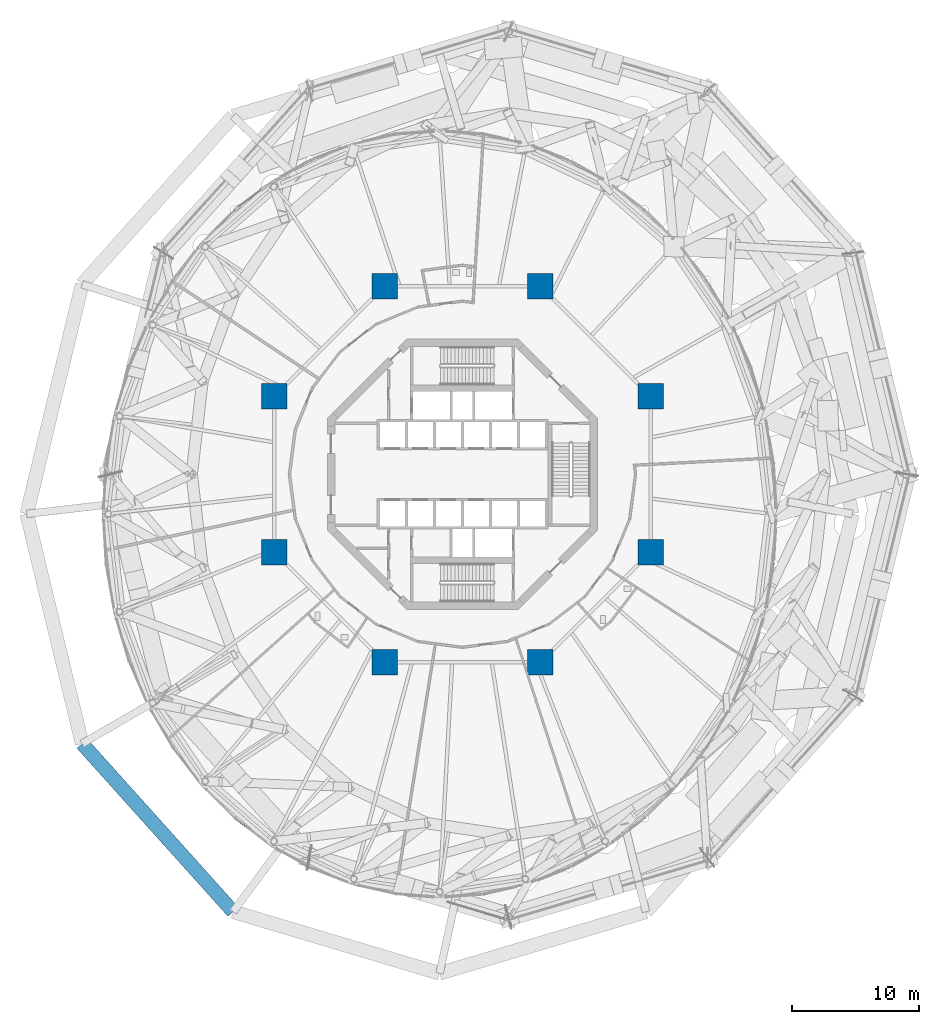
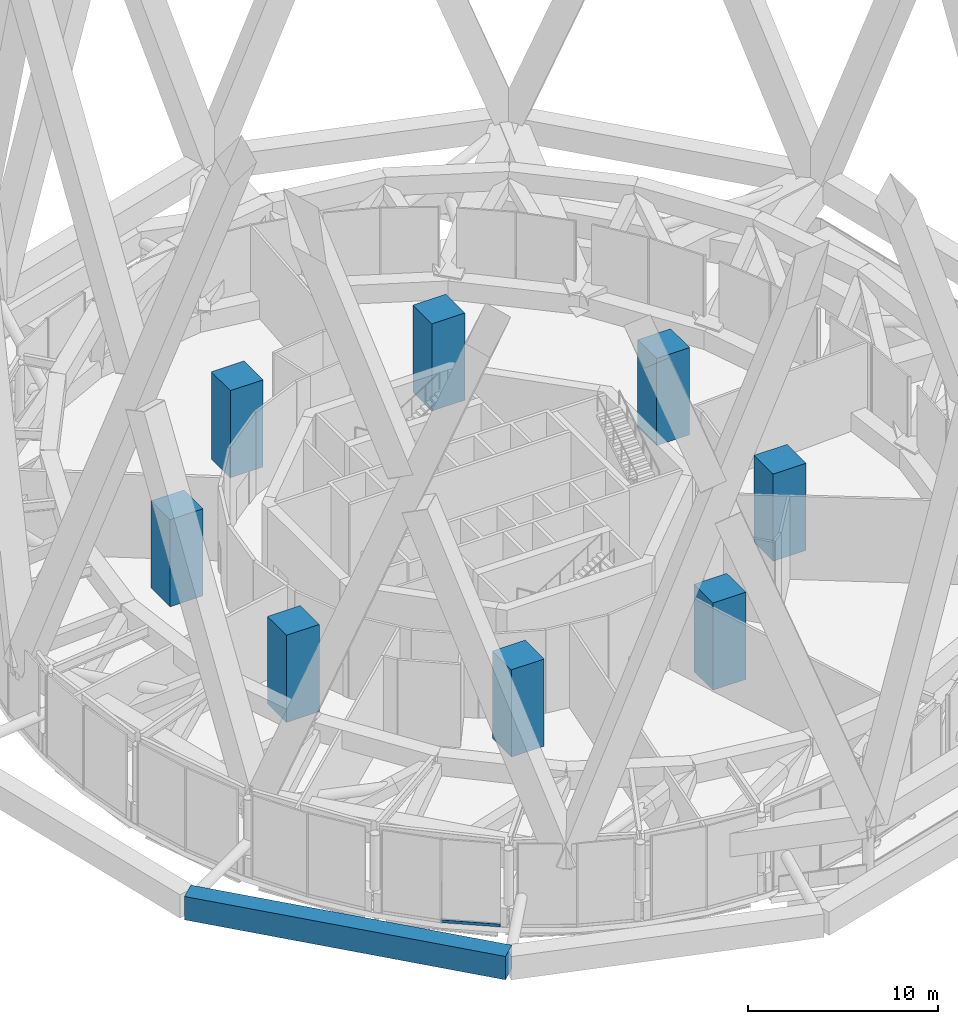
# One storey, part 1 of 49: 8 columns, 2 members, 1 element without a shape of its own.
"""IFC4 building model written with IfcOpenShell, lengths in metres."""

import ifcopenshell
import ifcopenshell.guid

model = None  # the IFC model being written
_history = None  # IfcOwnerHistory: only IFC2X3 demands one
_inside = {}  # id of a spatial element -> (the spatial element, [elements in it])
_under = {}  # id of a project, library or spatial element -> (it, [spatial elements below it])
_declared = {}  # id of a project -> (the project, [libraries it declares])
_typed = {}  # id of a type object -> (the type object, [elements of that type])
_made_of = {}  # id of a material, layer set ... -> (it, [elements and type objects made of it])


def new_model(schema):
    """Start an empty IFC model of exactly this schema.

    Asked for "IFC4X3", IfcOpenShell would pick the latest addendum, in which some entities
    have other attributes; the version numbers below select the first issue.
    IFC2X3 requires an IfcOwnerHistory on every rooted entity: one is made here for all.
    """
    global model, _history
    if schema == "IFC4X3":
        model = ifcopenshell.file(schema_version=(4, 3, 0, 0))
    else:
        model = ifcopenshell.file(schema=schema)
    _inside.clear()
    _under.clear()
    _declared.clear()
    _typed.clear()
    _made_of.clear()
    _history = None
    if model.schema == "IFC2X3":
        org = make("IfcOrganization", Name="unknown")
        user = make(
            "IfcPersonAndOrganization",
            ThePerson=make("IfcPerson", FamilyName="unknown"),
            TheOrganization=org,
        )
        app = make(
            "IfcApplication",
            ApplicationDeveloper=org,
            Version="unknown",
            ApplicationFullName="unknown",
            ApplicationIdentifier="unknown",
        )
        _history = make(
            "IfcOwnerHistory",
            OwningUser=user,
            OwningApplication=app,
            ChangeAction="ADDED",
            CreationDate=0,
        )
    return model


def make(cls, **values):
    """One entity of the class cls with the attributes given. An attribute that is None is left unset."""
    return model.create_entity(
        cls, **{name: value for name, value in values.items() if value is not None}
    )


def rooted(cls, **values):
    """An entity with a GlobalId (a new one), such as an element, a storey or a relation."""
    return make(cls, GlobalId=ifcopenshell.guid.new(), OwnerHistory=_history, **values)


def si_unit(unit_type, name, prefix=None):
    """IfcSIUnit, for example si_unit("LENGTHUNIT", "METRE", prefix="MILLI")."""
    return make("IfcSIUnit", UnitType=unit_type, Prefix=prefix, Name=name)


def assignment(units):
    """IfcUnitAssignment: the units of a project."""
    return None if units is None else make("IfcUnitAssignment", Units=units)


def point(xyz):
    """IfcCartesianPoint."""
    return None if xyz is None else make("IfcCartesianPoint", Coordinates=xyz)


def direction(xyz):
    """IfcDirection."""
    return None if xyz is None else make("IfcDirection", DirectionRatios=xyz)


def frame(location, z_axis=None, x_axis=None):
    """IfcAxis2Placement3D, a coordinate frame: its origin and axes. An axis left out is left unset."""
    return make(
        "IfcAxis2Placement3D",
        Location=point(location),
        Axis=direction(z_axis),
        RefDirection=direction(x_axis),
    )


def frame_2d(location, x_axis=None):
    """IfcAxis2Placement2D, a coordinate frame in the plane: its origin and x axis."""
    return make(
        "IfcAxis2Placement2D", Location=point(location), RefDirection=direction(x_axis)
    )


def origin():
    """The frame at (0, 0, 0) with its axes left unset."""
    return frame((0.0, 0.0, 0.0))


def origin_2d():
    """The frame at (0, 0) in the plane with its x axis left unset."""
    return frame_2d((0.0, 0.0))


def place(relative_to, where):
    """IfcLocalPlacement: puts the frame where relative to a parent placement (None: the world)."""
    return make(
        "IfcLocalPlacement", PlacementRelTo=relative_to, RelativePlacement=where
    )


def context(
    kind, dimensions, precision=None, world=None, true_north=None, identifier=None
):
    """IfcGeometricRepresentationContext, for example the 3D "Model" context."""
    return make(
        "IfcGeometricRepresentationContext",
        ContextIdentifier=identifier,
        ContextType=kind,
        CoordinateSpaceDimension=dimensions,
        Precision=precision,
        WorldCoordinateSystem=world,
        TrueNorth=true_north,
    )


def subcontext(parent, identifier, kind, view, scale=None):
    """IfcGeometricRepresentationSubContext, for example "Body" below "Model"."""
    return make(
        "IfcGeometricRepresentationSubContext",
        ContextIdentifier=identifier,
        ContextType=kind,
        ParentContext=parent,
        TargetScale=scale,
        TargetView=view,
    )


def project(units=None, contexts=None):
    """IfcProject with its units and contexts."""
    return rooted(
        "IfcProject",
        Name="project",
        RepresentationContexts=contexts,
        UnitsInContext=assignment(units),
    )


def spatial(cls, under=None, at=None, **own):
    """A site, building, storey or space (cls), placed at a placement, below another one or the project."""
    s = rooted(cls, ObjectPlacement=at, **own)
    if under is not None:
        _under.setdefault(under.id(), (under, []))[1].append(s)
    return s


def profile(cls, at=None, kind="AREA", **sizes):
    """A parametric profile (cls). Its sizes go by their IFC names, for example OverallWidth=200.0."""
    return make(cls, ProfileType=kind, Position=at, **sizes)


def rectangle(**sizes):
    """IfcRectangleProfileDef."""
    return profile("IfcRectangleProfileDef", **sizes)


def extrude(swept, where, along, depth):
    """IfcExtrudedAreaSolid: the profile swept, set in the frame where, extruded along a direction by depth."""
    return make(
        "IfcExtrudedAreaSolid",
        SweptArea=swept,
        Position=where,
        ExtrudedDirection=direction(along),
        Depth=depth,
    )


def shape(context_of_items, identifier, shape_type, items):
    """IfcShapeRepresentation: the items that make up one representation, for example the "Body"."""
    return make(
        "IfcShapeRepresentation",
        ContextOfItems=context_of_items,
        RepresentationIdentifier=identifier,
        RepresentationType=shape_type,
        Items=items,
    )


def material(Name=None, Category=None):
    """IfcMaterial."""
    return make("IfcMaterial", Name=Name, Category=Category)


def layer(
    of_material, thickness, ventilated=None, Name=None, Category=None, Priority=None
):
    """IfcMaterialLayer: one layer of a wall or slab, of a material (None: an air gap)."""
    return make(
        "IfcMaterialLayer",
        Material=of_material,
        LayerThickness=thickness,
        IsVentilated=ventilated,
        Name=Name,
        Category=Category,
        Priority=Priority,
    )


def layer_set(layers, Name=None):
    """IfcMaterialLayerSet."""
    return make("IfcMaterialLayerSet", MaterialLayers=layers, LayerSetName=Name)


def material_profile(
    of_material, cross_section, Name=None, Category=None, Priority=None
):
    """IfcMaterialProfile: a cross section and its material."""
    return make(
        "IfcMaterialProfile",
        Name=Name,
        Material=of_material,
        Profile=cross_section,
        Priority=Priority,
        Category=Category,
    )


def profile_set(profiles, Name=None, composite=None):
    """IfcMaterialProfileSet."""
    return make(
        "IfcMaterialProfileSet",
        Name=Name,
        MaterialProfiles=profiles,
        CompositeProfile=composite,
    )


def made_of(thing, what):
    """Note that an element or type object is made of a material, layer set ...; save() writes the relation."""
    if what is not None:
        _made_of.setdefault(what.id(), (what, []))[1].append(thing)
    return thing


def type_object(cls, material=None, **own):
    """A type object (cls), such as IfcWallType, which elements share."""
    return made_of(rooted(cls, **own), material)


def element(
    cls,
    number,
    at=None,
    inside=None,
    cuts=None,
    type_object=None,
    material=None,
    context=None,
    identifier="Body",
    shape_type=None,
    held_by="IfcProductDefinitionShape",
    body=None,
    shapes=None,
    **own,
):
    """One element of the class cls, such as IfcWall. Its Tag is "e" and its number.

    at: its placement. inside: the storey or other place that contains it. cuts: it is an
    opening in that element (IfcRelVoidsElement). A single representation is given by context,
    identifier, shape_type and body (its items); several are given by shapes. held_by: the class
    of the entity that holds the representations. save() writes the other relations.
    """
    e = rooted(cls, Tag="e%d" % number, ObjectPlacement=at, **own)
    if body is not None:
        shapes = [shape(context, identifier, shape_type, body)]
    if shapes is not None:
        e.Representation = make(held_by, Representations=shapes)
    if inside is not None:
        _inside.setdefault(inside.id(), (inside, []))[1].append(e)
    if cuts is not None:
        rooted(
            "IfcRelVoidsElement", RelatingBuildingElement=cuts, RelatedOpeningElement=e
        )
    if type_object is not None:
        _typed.setdefault(type_object.id(), (type_object, []))[1].append(e)
    return made_of(e, material)


def aggregate(whole, parts):
    """IfcRelAggregates: a whole, such as a stair, and the parts it consists of."""
    return rooted("IfcRelAggregates", RelatingObject=whole, RelatedObjects=parts)


def save(model, path):
    """Write the relations noted so far, then the file.

    IfcRelAggregates (storeys below a building ...), IfcRelContainedInSpatialStructure (elements
    in a storey), IfcRelDefinesByType, IfcRelAssociatesMaterial and IfcRelDeclares: one each for
    every whole, place, type object, material and project.
    """
    for whole, parts in _under.values():
        aggregate(whole, parts)
    for where, things in _inside.values():
        rooted(
            "IfcRelContainedInSpatialStructure",
            RelatedElements=things,
            RelatingStructure=where,
        )
    for kind, things in _typed.values():
        rooted("IfcRelDefinesByType", RelatedObjects=things, RelatingType=kind)
    for what, things in _made_of.values():
        rooted("IfcRelAssociatesMaterial", RelatedObjects=things, RelatingMaterial=what)
    for by, libraries in _declared.values():
        rooted("IfcRelDeclares", RelatingContext=by, RelatedDefinitions=libraries)
    model.write(path)


model = new_model("IFC4")

# Units and contexts
model_context = context("Model", 3, precision=1e-05, world=origin(), true_north=direction((0.0, 1.0)))
body_context = subcontext(model_context, "Body", "Model", "MODEL_VIEW")
ifc_project = project(units=[si_unit("LENGTHUNIT", "METRE"), si_unit("AREAUNIT", "SQUARE_METRE"), si_unit("VOLUMEUNIT", "CUBIC_METRE"), si_unit("PLANEANGLEUNIT", "RADIAN"), si_unit("MASSUNIT", "GRAM", prefix="KILO")], contexts=[model_context])

# Site, building, storey
site_placement = place(None, origin())
site = spatial("IfcSite", under=ifc_project, at=site_placement, CompositionType="ELEMENT")
building_placement = place(site_placement, origin())
building = spatial("IfcBuilding", under=site, at=building_placement, Name="Nagisa Residences", CompositionType="ELEMENT")
storey_placement = place(building_placement, frame((0.0, 0.0, 160.300048828125)))
storey = spatial("IfcBuildingStorey", under=building, at=storey_placement, Name="L40", CompositionType="ELEMENT", Elevation=160.300048828125)

# Columns
ifc_material_1 = material(Name="Concrete C80", Category="concrete")
ifc_material_profile_1 = material_profile(ifc_material_1, rectangle(XDim=2.0, YDim=2.0, at=origin_2d()), Name="C80 2000x2000")
ifc_profile_set_1 = profile_set([ifc_material_profile_1], Name="Concrete C80")
column_type = type_object("IfcColumnType", Name="Inner megacolumn C80 2000x2000", PredefinedType="COLUMN", material=ifc_profile_set_1)
for number, where, z_axis, x_axis, name in (
    (1, (14.781982421875, 6.123046875, 0.0), (0.0, 0.0, 1.0), (1.0, 0.0, 0.0), "col:L40:i1"),
    (2, (6.123046875, 14.781982421875, 0.0), (0.0, 0.0, 1.0), (1.0, 0.0, 0.0), "col:L40:i2"),
    (3, (-6.123046875, 14.781982421875, 0.0), (0.0, 0.0, 1.0), (1.0, 0.0, 0.0), "col:L40:i3"),
    (4, (-14.781982421875, 6.123046875, 0.0), (0.0, 0.0, 1.0), (1.0, 0.0, 0.0), "col:L40:i4"),
    (5, (-14.781982421875, -6.123046875, 0.0), (0.0, 0.0, 1.0), (1.0, 0.0, 0.0), "col:L40:i5"),
    (6, (-6.123046875, -14.781982421875, 0.0), (0.0, 0.0, 1.0), (1.0, 0.0, 0.0), "col:L40:i6"),
    (7, (6.123046875, -14.781982421875, 0.0), (0.0, 0.0, 1.0), (1.0, 0.0, 0.0), "col:L40:i7"),
    (8, (14.781982421875, -6.123046875, 0.0), (0.0, 0.0, 1.0), (1.0, 0.0, 0.0), "col:L40:i8"),
):
    element("IfcColumn", number, at=place(storey_placement, frame(where, z_axis=z_axis, x_axis=x_axis)), inside=storey, type_object=column_type, Name=name, PredefinedType="COLUMN", context=body_context, shape_type="SweptSolid", body=[
        extrude(rectangle(XDim=2.0, YDim=2.0, at=origin_2d()), origin(), (0.0, 0.0, 1.0), 5.599853515625),
    ])

# Curtain wall, member
ifc_material_2 = material(Name="Aluminium curtain wall system", Category="aluminium")
ifc_layer = layer(ifc_material_2, 0.159912109375)
ifc_layer_set = layer_set([ifc_layer], Name="CW2 CURTAIN WALL")
curtain_wall_type = type_object("IfcCurtainWallType", Name="CW2 CURTAIN WALL", PredefinedType="NOTDEFINED", material=ifc_layer_set)
curtain_wall_placement = place(storey_placement, origin())
curtain_wall = element("IfcCurtainWall", 9, at=curtain_wall_placement, inside=storey, type_object=curtain_wall_type, Name="cw:CW2:L40:31", PredefinedType="NOTDEFINED")
ifc_material_3 = material(Name="Aluminium", Category="aluminium")
ifc_material_profile_2 = material_profile(ifc_material_3, rectangle(XDim=0.139892578125, YDim=0.179931640625, at=origin_2d()), Name="CW2 TRANSOM 140x180")
ifc_profile_set_2 = profile_set([ifc_material_profile_2], Name="Aluminium")
member_type_1 = type_object("IfcMemberType", Name="CW2 TRANSOM 140x180", PredefinedType="USERDEFINED", material=ifc_profile_set_2)
member_1_placement = place(storey_placement, frame((-17.905029296875, -27.00927734375, 0.08984375), z_axis=(0.796015506154, -0.605276229471, 0.0), x_axis=(0.605276229471, 0.796015506154, 0.0)))
member_1 = element("IfcMember", 10, at=member_1_placement, type_object=member_type_1, Name="CW2 transom", ObjectType="TRANSOM", PredefinedType="USERDEFINED", context=body_context, shape_type="SweptSolid", body=[
    extrude(rectangle(XDim=0.139892578125, YDim=0.179931640625, at=origin_2d()), origin(), (0.0, 0.0, 1.0), 3.175537109375),
])
aggregate(curtain_wall, [member_1])

# Member
ifc_material_4 = material(Name="Concrete C80", Category="concrete")
ifc_material_profile_3 = material_profile(ifc_material_4, rectangle(XDim=1.10009765625, YDim=1.5, at=origin_2d()), Name="C80 1100x1500")
ifc_profile_set_3 = profile_set([ifc_material_profile_3], Name="Concrete C80")
member_type_2 = type_object("IfcMemberType", Name="Cage ring 3 C80 1100x1500", PredefinedType="CHORD", material=ifc_profile_set_3)
member_2_placement = place(storey_placement, frame((-29.8896484375, -21.165283203125, 1.89990234375), z_axis=(0.668391192024, -0.743809931652, 0.0), x_axis=(0.743809931652, 0.668391192024, 0.0)))
element("IfcMember", 11, at=member_2_placement, inside=storey, type_object=member_type_2, Name="beam:L40:cg3r108", PredefinedType="CHORD", context=body_context, shape_type="SweptSolid", body=[
    extrude(rectangle(XDim=1.10009765625, YDim=1.5, at=origin_2d()), origin(), (0.0, 0.0, 1.0), 17.76220703125),
])

save(model, "model.ifc")
